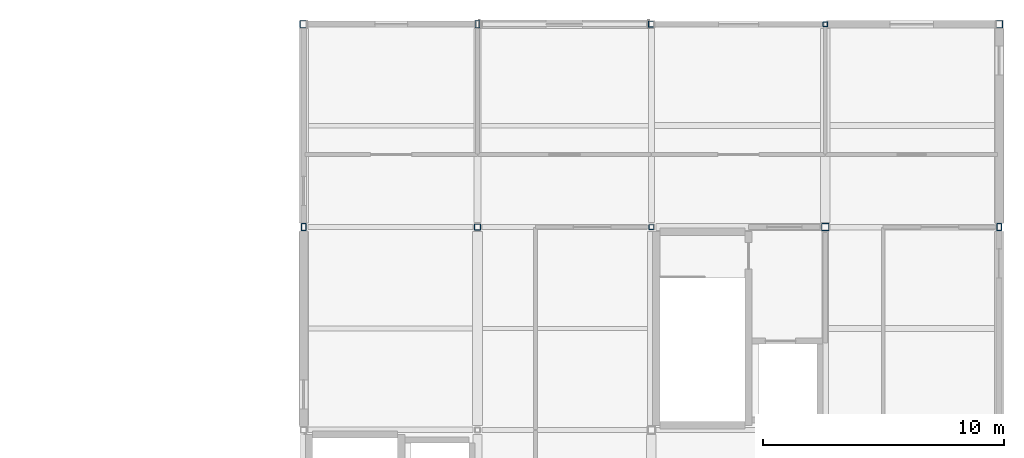
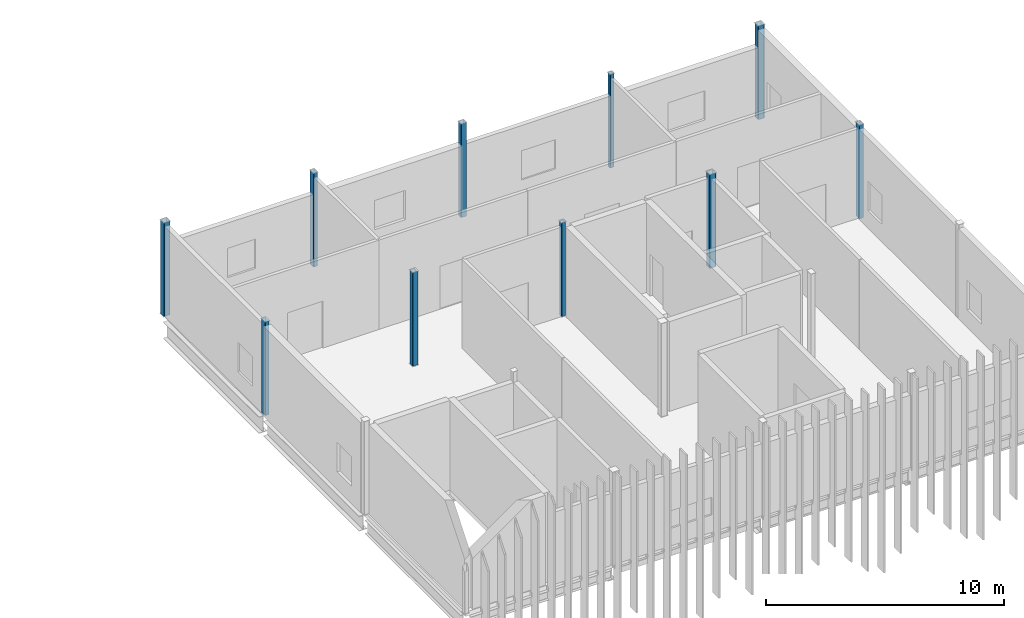
# One storey, part 6 of 27: 10 columns.
"""IFC4 building model written with IfcOpenShell, lengths in metres."""

from ifc_helpers import new_model, si_unit, direction, frame, origin, origin_2d, place, context, subcontext, project, spatial, hollow_rectangle, extrude, material, material_profile, profile_set, type_object, element, save


model = new_model("IFC4")

# Units and contexts
model_context = context("Model", 3, precision=1e-05, world=origin(), true_north=direction((0.0, 1.0)))
body_context = subcontext(model_context, "Body", "Model", "MODEL_VIEW")
ifc_project = project(units=[si_unit("LENGTHUNIT", "METRE"), si_unit("AREAUNIT", "SQUARE_METRE"), si_unit("VOLUMEUNIT", "CUBIC_METRE"), si_unit("PLANEANGLEUNIT", "RADIAN"), si_unit("MASSUNIT", "GRAM", prefix="KILO")], contexts=[model_context])

# Site, building, storey
site_placement = place(None, origin())
site = spatial("IfcSite", under=ifc_project, at=site_placement, CompositionType="ELEMENT")
building_placement = place(site_placement, origin())
building = spatial("IfcBuilding", under=site, at=building_placement, Name="Calvrana Isthmian Art Gallery", CompositionType="ELEMENT")
storey_placement = place(building_placement, frame((0.0, 0.0, 24.60009765625)))
storey = spatial("IfcBuildingStorey", under=building, at=storey_placement, Name="L05", CompositionType="ELEMENT", Elevation=24.60009765625)

# Columns
ifc_material = material(Name="Steel ASTM A500 Gr C", Category="steel")
ifc_material_profile_1 = material_profile(ifc_material, hollow_rectangle(XDim=0.203125, YDim=0.203125, WallThickness=0.0126953125, OuterFilletRadius=0.02490234375, at=origin_2d()), Name="HSS203X203X12.7")
ifc_profile_set_1 = profile_set([ifc_material_profile_1], Name="Steel ASTM A500 Gr C")
column_type_1 = type_object("IfcColumnType", Name="COL-STL-HSS203X203X12.7", PredefinedType="COLUMN", material=ifc_profile_set_1)
for number, where, z_axis, x_axis, name in (
    (1, (127.199951171875, 38.39990234375, 0.0), (0.0, 0.0, 1.0), (1.0, 0.0, 0.0), "Column 17/F L05"),
    (2, (134.39990234375, 46.800048828125, 0.0), (0.0, 0.0, 1.0), (1.0, 0.0, 0.0), "Column 18/G L05"),
):
    element("IfcColumn", number, at=place(storey_placement, frame(where, z_axis=z_axis, x_axis=x_axis)), inside=storey, type_object=column_type_1, Name=name, PredefinedType="COLUMN", context=body_context, shape_type="SweptSolid", body=[
        extrude(hollow_rectangle(XDim=0.203125, YDim=0.203125, WallThickness=0.0126953125, OuterFilletRadius=0.02490234375, at=origin_2d()), origin(), (0.0, 0.0, 1.0), 4.7998046875),
    ])
ifc_material_profile_2 = material_profile(ifc_material, hollow_rectangle(XDim=0.25390625, YDim=0.25390625, WallThickness=0.0126953125, OuterFilletRadius=0.02490234375, at=origin_2d()), Name="HSS254X254X12.7")
ifc_profile_set_2 = profile_set([ifc_material_profile_2], Name="Steel ASTM A500 Gr C")
column_type_2 = type_object("IfcColumnType", Name="COL-STL-HSS254X254X12.7", PredefinedType="COLUMN", material=ifc_profile_set_2)
for number, where, z_axis, x_axis, name in (
    (3, (120.0, 38.39990234375, 0.0), (0.0, 0.0, 1.0), (1.0, 0.0, 0.0), "Column 16/F L05"),
    (4, (127.199951171875, 46.800048828125, 0.0), (0.0, 0.0, 1.0), (1.0, 0.0, 0.0), "Column 17/G L05"),
):
    element("IfcColumn", number, at=place(storey_placement, frame(where, z_axis=z_axis, x_axis=x_axis)), inside=storey, type_object=column_type_2, Name=name, PredefinedType="COLUMN", context=body_context, shape_type="SweptSolid", body=[
        extrude(hollow_rectangle(XDim=0.25390625, YDim=0.25390625, WallThickness=0.0126953125, OuterFilletRadius=0.02490234375, at=origin_2d()), origin(), (0.0, 0.0, 1.0), 4.7998046875),
    ])
ifc_material_profile_3 = material_profile(ifc_material, hollow_rectangle(XDim=0.203125, YDim=0.3046875, WallThickness=0.0126953125, OuterFilletRadius=0.02490234375, at=origin_2d()), Name="HSS305X203X12.7")
ifc_profile_set_3 = profile_set([ifc_material_profile_3], Name="Steel ASTM A500 Gr C")
column_type_3 = type_object("IfcColumnType", Name="COL-STL-HSS305X203X12.7", PredefinedType="COLUMN", material=ifc_profile_set_3)
for number, where, z_axis, x_axis, name in (
    (5, (112.800048828125, 38.39990234375, 0.0), (0.0, 0.0, 1.0), (1.0, 0.0, 0.0), "Column 15/F L05"),
    (6, (120.0, 46.800048828125, 0.0), (0.0, 0.0, 1.0), (1.0, 0.0, 0.0), "Column 16/G L05"),
    (7, (141.60009765625, 38.39990234375, 0.0), (0.0, 0.0, 1.0), (1.0, 0.0, 0.0), "Column 19/F L05"),
):
    element("IfcColumn", number, at=place(storey_placement, frame(where, z_axis=z_axis, x_axis=x_axis)), inside=storey, type_object=column_type_3, Name=name, PredefinedType="COLUMN", context=body_context, shape_type="SweptSolid", body=[
        extrude(hollow_rectangle(XDim=0.203125, YDim=0.3046875, WallThickness=0.0126953125, OuterFilletRadius=0.02490234375, at=origin_2d()), origin(), (0.0, 0.0, 1.0), 4.7998046875),
    ])
ifc_material_profile_4 = material_profile(ifc_material, hollow_rectangle(XDim=0.3046875, YDim=0.3046875, WallThickness=0.015869140625, OuterFilletRadius=0.031982421875, at=origin_2d()), Name="HSS305X305X15.9")
ifc_profile_set_4 = profile_set([ifc_material_profile_4], Name="Steel ASTM A500 Gr C")
column_type_4 = type_object("IfcColumnType", Name="COL-STL-HSS305X305X15.9", PredefinedType="COLUMN", material=ifc_profile_set_4)
for number, where, z_axis, x_axis, name in (
    (8, (112.800048828125, 46.800048828125, 0.0), (0.0, 0.0, 1.0), (1.0, 0.0, 0.0), "Column 15/G L05"),
    (9, (134.39990234375, 38.39990234375, 0.0), (0.0, 0.0, 1.0), (1.0, 0.0, 0.0), "Column 18/F L05"),
    (10, (141.60009765625, 46.800048828125, 0.0), (0.0, 0.0, 1.0), (1.0, 0.0, 0.0), "Column 19/G L05"),
):
    element("IfcColumn", number, at=place(storey_placement, frame(where, z_axis=z_axis, x_axis=x_axis)), inside=storey, type_object=column_type_4, Name=name, PredefinedType="COLUMN", context=body_context, shape_type="SweptSolid", body=[
        extrude(hollow_rectangle(XDim=0.3046875, YDim=0.3046875, WallThickness=0.015869140625, OuterFilletRadius=0.031982421875, at=origin_2d()), origin(), (0.0, 0.0, 1.0), 4.7998046875),
    ])

save(model, "model.ifc")
